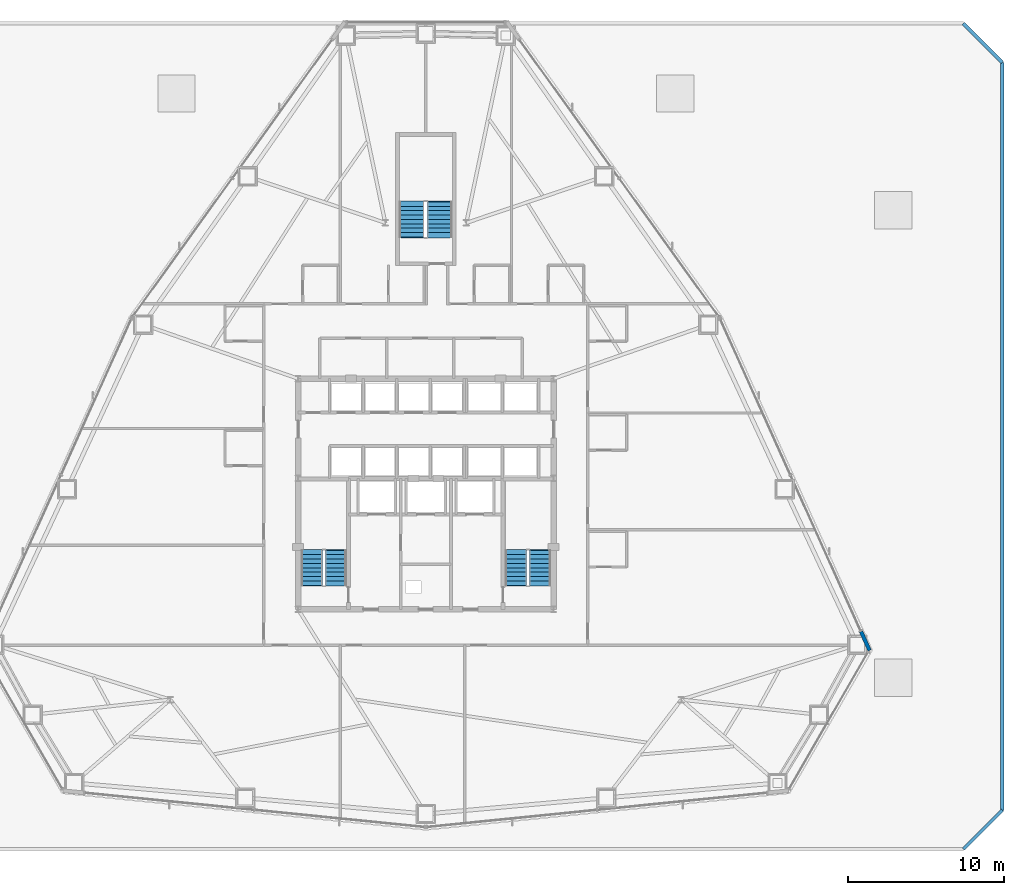
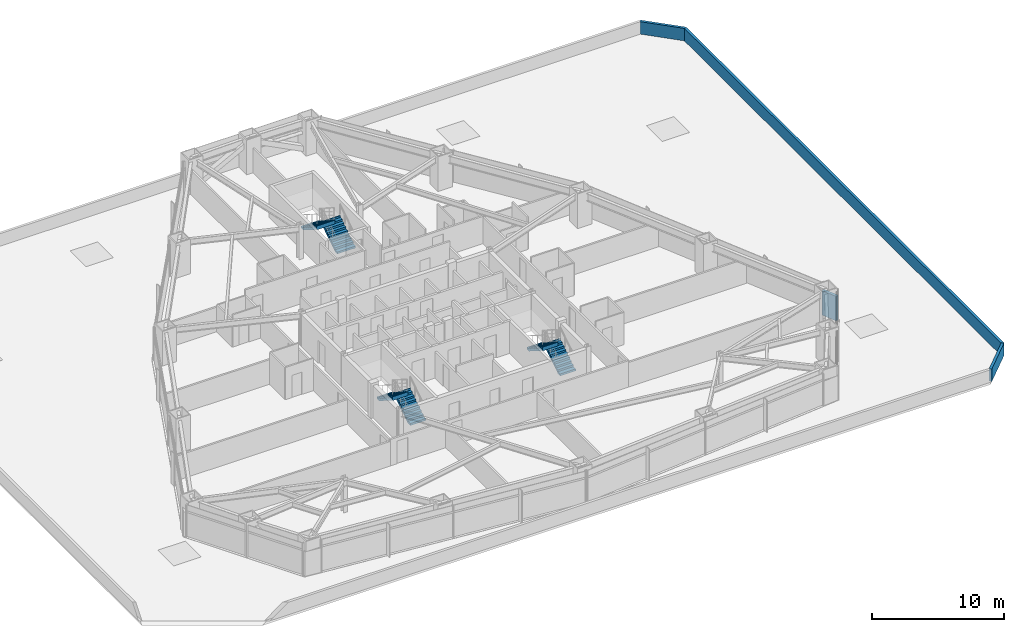
# One storey, part 16 of 17: 6 stair flights, 4 walls, 3 elements without a shape of their own.
"""IFC4 building model written with IfcOpenShell, lengths in metres."""

from ifc_helpers import new_model, si_unit, direction, frame, frame_2d, origin, place, context, subcontext, project, spatial, polyline, rectangle, outline, extrude, material, layer, layer_set, type_object, element, aggregate, save


model = new_model("IFC4")

# Units and contexts
model_context = context("Model", 3, precision=1e-05, world=origin(), true_north=direction((0.0, 1.0)))
body_context = subcontext(model_context, "Body", "Model", "MODEL_VIEW")
ifc_project = project(units=[si_unit("LENGTHUNIT", "METRE"), si_unit("AREAUNIT", "SQUARE_METRE"), si_unit("VOLUMEUNIT", "CUBIC_METRE"), si_unit("PLANEANGLEUNIT", "RADIAN"), si_unit("MASSUNIT", "GRAM", prefix="KILO")], contexts=[model_context])

# Site, building, storey
site_placement = place(None, origin())
site = spatial("IfcSite", under=ifc_project, at=site_placement, CompositionType="ELEMENT")
building_placement = place(site_placement, origin())
building = spatial("IfcBuilding", under=site, at=building_placement, Name="Varakhsha Concourse Tower", CompositionType="ELEMENT")
storey_placement = place(building_placement, frame((0.0, 0.0, 27.199951171875)))
storey = spatial("IfcBuildingStorey", under=building, at=storey_placement, Name="L06", CompositionType="ELEMENT", Elevation=27.199951171875)

# Walls
ifc_material = material(Name="Concrete fc 45 MPa", Category="concrete")
ifc_layer_1 = layer(ifc_material, 0.239990234375, Name="WL-EXT-CRN-240")
ifc_layer_set_1 = layer_set([ifc_layer_1], Name="Concrete fc 45 MPa")
wall_type_1 = type_object("IfcWallType", Name="WL-EXT-CRN-240", PredefinedType="SHEAR", material=ifc_layer_set_1)
wall_1_placement = place(storey_placement, frame((68.482666015625, 13.758056640625, 0.0), z_axis=(0.0, 0.0, 1.0), x_axis=(-0.410767856127, 0.91173996752, 0.0)))
element("IfcWall", 1, at=wall_1_placement, inside=storey, type_object=wall_type_1, Name="L06 Wind-Corner Shoulder Wall F8", PredefinedType="SHEAR", context=body_context, shape_type="SweptSolid", body=[
    extrude(rectangle(XDim=1.334228515625, YDim=0.239990234375, at=frame_2d((0.6669921875, 0.0))), origin(), (0.0, 0.0, 1.0), 2.262939453125),
])
ifc_layer_2 = layer(ifc_material, 0.219970703125, Name="WL-PARAPET-220")
ifc_layer_set_2 = layer_set([ifc_layer_2], Name="Concrete fc 45 MPa")
wall_type_2 = type_object("IfcWallType", Name="WL-PARAPET-220", PredefinedType="PARAPET", material=ifc_layer_set_2)
wall_2_placement = place(storey_placement, frame((74.5, 1.0, 0.0), z_axis=(0.0, 0.0, 1.0), x_axis=(0.707106781187, 0.707106781187, 0.0)))
element("IfcWall", 2, at=wall_2_placement, inside=storey, type_object=wall_type_2, Name="Podium Roof Perimeter Parapet 02", PredefinedType="PARAPET", context=body_context, shape_type="SweptSolid", body=[
    extrude(rectangle(XDim=3.53564453125, YDim=0.219970703125, at=frame_2d((1.767822265625, 0.0))), origin(), (0.0, 0.0, 1.0), 1.150146484375),
])
wall_3_placement = place(storey_placement, frame((77.0, 3.5, 0.0), z_axis=(0.0, 0.0, 1.0), x_axis=(0.0, 1.0, 0.0)))
element("IfcWall", 3, at=wall_3_placement, inside=storey, type_object=wall_type_2, Name="Podium Roof Perimeter Parapet 03", PredefinedType="PARAPET", context=body_context, shape_type="SweptSolid", body=[
    extrude(rectangle(XDim=48.0, YDim=0.219970703125, at=frame_2d((24.0, 0.0))), origin(), (0.0, 0.0, 1.0), 1.150146484375),
])
wall_4_placement = place(storey_placement, frame((77.0, 51.5, 0.0), z_axis=(0.0, 0.0, 1.0), x_axis=(-0.707106781187, 0.707106781187, 0.0)))
element("IfcWall", 4, at=wall_4_placement, inside=storey, type_object=wall_type_2, Name="Podium Roof Perimeter Parapet 04", PredefinedType="PARAPET", context=body_context, shape_type="SweptSolid", body=[
    extrude(rectangle(XDim=3.53564453125, YDim=0.219970703125, at=frame_2d((1.767822265625, 0.0))), origin(), (0.0, 0.0, 1.0), 1.150146484375),
])

# Stair, stair flights
stair_type_1 = type_object("IfcStairType", Name="ST-DOGLEG-1360", PredefinedType="HALF_TURN_STAIR", material=ifc_material)
stair_1_placement = place(storey_placement, origin())
stair_1 = element("IfcStair", 5, at=stair_1_placement, inside=storey, type_object=stair_type_1, Name="L06 Protected Exit Stair ST1", PredefinedType="HALF_TURN_STAIR")
stair_flight_type_1 = type_object("IfcStairFlightType", Name="STF-1360-R1778", PredefinedType="STRAIGHT", material=ifc_material)
stair_flight_1_placement = place(storey_placement, frame((34.239990234375, 17.93994140625, 0.0), z_axis=(0.0, 0.0, 1.0), x_axis=(0.0, 1.0, 0.0)))
stair_flight_1 = element("IfcStairFlight", 6, at=stair_flight_1_placement, type_object=stair_flight_type_1, Name="ST1 flight 1", NumberOfRisers=9, NumberOfTreads=8, PredefinedType="STRAIGHT", RiserHeight=0.177777778, TreadLength=0.28, context=body_context, shape_type="SweptSolid", body=[
    extrude(outline(polyline([(-0.06005859375, 0.0), (-0.06005859375, 0.177734375), (0.0, 0.177734375), (0.280029296875, 0.177734375), (0.280029296875, 0.35546875), (0.56005859375, 0.35546875), (0.56005859375, 0.533447265625), (0.840087890625, 0.533447265625), (0.840087890625, 0.711181640625), (1.1201171875, 0.711181640625), (1.1201171875, 0.888916015625), (1.39990234375, 0.888916015625), (1.39990234375, 1.066650390625), (1.679931640625, 1.066650390625), (1.679931640625, 1.244384765625), (1.9599609375, 1.244384765625), (1.9599609375, 1.422119140625), (2.239990234375, 1.422119140625), (2.239990234375, 1.60009765625), (2.300048828125, 1.60009765625), (2.300048828125, 1.24462890625), (2.239990234375, 1.24462890625), (0.27978515625, 0.0), (-0.06005859375, 0.0)])), frame((0.0, 0.68017578125, 0.0), z_axis=(0.0, -1.0, 0.0), x_axis=(1.0, 0.0, 0.0)), (0.0, 0.0, 1.0), 1.360107421875),
])
stair_flight_2_placement = place(storey_placement, frame((32.679931640625, 20.179931640625, 1.60009765625), z_axis=(0.0, 0.0, 1.0), x_axis=(0.0, -1.0, 0.0)))
stair_flight_2 = element("IfcStairFlight", 7, at=stair_flight_2_placement, type_object=stair_flight_type_1, Name="ST1 flight 2", NumberOfRisers=9, NumberOfTreads=8, PredefinedType="STRAIGHT", RiserHeight=0.177777778, TreadLength=0.28, context=body_context, shape_type="SweptSolid", body=[
    extrude(outline(polyline([(-0.06005859375, 0.0), (-0.06005859375, 0.177734375), (0.0, 0.177734375), (0.280029296875, 0.177734375), (0.280029296875, 0.35546875), (0.56005859375, 0.35546875), (0.56005859375, 0.533447265625), (0.840087890625, 0.533447265625), (0.840087890625, 0.711181640625), (1.1201171875, 0.711181640625), (1.1201171875, 0.888916015625), (1.39990234375, 0.888916015625), (1.39990234375, 1.066650390625), (1.679931640625, 1.066650390625), (1.679931640625, 1.244384765625), (1.9599609375, 1.244384765625), (1.9599609375, 1.422119140625), (2.239990234375, 1.422119140625), (2.239990234375, 1.60009765625), (2.300048828125, 1.60009765625), (2.300048828125, 1.24462890625), (2.239990234375, 1.24462890625), (0.27978515625, 0.0), (-0.06005859375, 0.0)])), frame((0.0, 0.68017578125, 0.0), z_axis=(0.0, -1.0, 0.0), x_axis=(1.0, 0.0, 0.0)), (0.0, 0.0, 1.0), 1.360107421875),
])
aggregate(stair_1, [stair_flight_1, stair_flight_2])

stair_2_placement = place(storey_placement, origin())
stair_2 = element("IfcStair", 8, at=stair_2_placement, inside=storey, type_object=stair_type_1, Name="L06 Protected Exit Stair ST2", PredefinedType="HALF_TURN_STAIR")
stair_flight_3_placement = place(storey_placement, frame((47.340087890625, 17.93994140625, 0.0), z_axis=(0.0, 0.0, 1.0), x_axis=(0.0, 1.0, 0.0)))
stair_flight_3 = element("IfcStairFlight", 9, at=stair_flight_3_placement, type_object=stair_flight_type_1, Name="ST2 flight 1", NumberOfRisers=9, NumberOfTreads=8, PredefinedType="STRAIGHT", RiserHeight=0.177777778, TreadLength=0.28, context=body_context, shape_type="SweptSolid", body=[
    extrude(outline(polyline([(-0.06005859375, 0.0), (-0.06005859375, 0.177734375), (0.0, 0.177734375), (0.280029296875, 0.177734375), (0.280029296875, 0.35546875), (0.56005859375, 0.35546875), (0.56005859375, 0.533447265625), (0.840087890625, 0.533447265625), (0.840087890625, 0.711181640625), (1.1201171875, 0.711181640625), (1.1201171875, 0.888916015625), (1.39990234375, 0.888916015625), (1.39990234375, 1.066650390625), (1.679931640625, 1.066650390625), (1.679931640625, 1.244384765625), (1.9599609375, 1.244384765625), (1.9599609375, 1.422119140625), (2.239990234375, 1.422119140625), (2.239990234375, 1.60009765625), (2.300048828125, 1.60009765625), (2.300048828125, 1.24462890625), (2.239990234375, 1.24462890625), (0.27978515625, 0.0), (-0.06005859375, 0.0)])), frame((0.0, 0.68017578125, 0.0), z_axis=(0.0, -1.0, 0.0), x_axis=(1.0, 0.0, 0.0)), (0.0, 0.0, 1.0), 1.360107421875),
])
stair_flight_4_placement = place(storey_placement, frame((45.780029296875, 20.179931640625, 1.60009765625), z_axis=(0.0, 0.0, 1.0), x_axis=(0.0, -1.0, 0.0)))
stair_flight_4 = element("IfcStairFlight", 10, at=stair_flight_4_placement, type_object=stair_flight_type_1, Name="ST2 flight 2", NumberOfRisers=9, NumberOfTreads=8, PredefinedType="STRAIGHT", RiserHeight=0.177777778, TreadLength=0.28, context=body_context, shape_type="SweptSolid", body=[
    extrude(outline(polyline([(-0.06005859375, 0.0), (-0.06005859375, 0.177734375), (0.0, 0.177734375), (0.280029296875, 0.177734375), (0.280029296875, 0.35546875), (0.56005859375, 0.35546875), (0.56005859375, 0.533447265625), (0.840087890625, 0.533447265625), (0.840087890625, 0.711181640625), (1.1201171875, 0.711181640625), (1.1201171875, 0.888916015625), (1.39990234375, 0.888916015625), (1.39990234375, 1.066650390625), (1.679931640625, 1.066650390625), (1.679931640625, 1.244384765625), (1.9599609375, 1.244384765625), (1.9599609375, 1.422119140625), (2.239990234375, 1.422119140625), (2.239990234375, 1.60009765625), (2.300048828125, 1.60009765625), (2.300048828125, 1.24462890625), (2.239990234375, 1.24462890625), (0.27978515625, 0.0), (-0.06005859375, 0.0)])), frame((0.0, 0.68017578125, 0.0), z_axis=(0.0, -1.0, 0.0), x_axis=(1.0, 0.0, 0.0)), (0.0, 0.0, 1.0), 1.360107421875),
])
aggregate(stair_2, [stair_flight_3, stair_flight_4])

stair_type_2 = type_object("IfcStairType", Name="ST-DOGLEG-1600", PredefinedType="HALF_TURN_STAIR", material=ifc_material)
stair_3_placement = place(storey_placement, origin())
stair_3 = element("IfcStair", 11, at=stair_3_placement, inside=storey, type_object=stair_type_2, Name="L06 Protected Exit Stair ST5", PredefinedType="HALF_TURN_STAIR")
stair_flight_type_2 = type_object("IfcStairFlightType", Name="STF-1600-R1778", PredefinedType="STRAIGHT", material=ifc_material)
stair_flight_5_placement = place(storey_placement, frame((40.89990234375, 40.300048828125, 0.0), z_axis=(0.0, 0.0, 1.0), x_axis=(0.0, 1.0, 0.0)))
stair_flight_5 = element("IfcStairFlight", 12, at=stair_flight_5_placement, type_object=stair_flight_type_2, Name="ST5 flight 1", NumberOfRisers=9, NumberOfTreads=8, PredefinedType="STRAIGHT", RiserHeight=0.177777778, TreadLength=0.28, context=body_context, shape_type="SweptSolid", body=[
    extrude(outline(polyline([(-0.06005859375, 0.0), (-0.06005859375, 0.177734375), (0.0, 0.177734375), (0.280029296875, 0.177734375), (0.280029296875, 0.35546875), (0.56005859375, 0.35546875), (0.56005859375, 0.533447265625), (0.840087890625, 0.533447265625), (0.840087890625, 0.711181640625), (1.1201171875, 0.711181640625), (1.1201171875, 0.888916015625), (1.39990234375, 0.888916015625), (1.39990234375, 1.066650390625), (1.679931640625, 1.066650390625), (1.679931640625, 1.244384765625), (1.9599609375, 1.244384765625), (1.9599609375, 1.422119140625), (2.239990234375, 1.422119140625), (2.239990234375, 1.60009765625), (2.300048828125, 1.60009765625), (2.300048828125, 1.24462890625), (2.239990234375, 1.24462890625), (0.27978515625, 0.0), (-0.06005859375, 0.0)])), frame((0.0, 0.800048828125, 0.0), z_axis=(0.0, -1.0, 0.0), x_axis=(1.0, 0.0, 0.0)), (0.0, 0.0, 1.0), 1.60009765625),
])
stair_flight_6_placement = place(storey_placement, frame((39.10009765625, 42.5400390625, 1.60009765625), z_axis=(0.0, 0.0, 1.0), x_axis=(0.0, -1.0, 0.0)))
stair_flight_6 = element("IfcStairFlight", 13, at=stair_flight_6_placement, type_object=stair_flight_type_2, Name="ST5 flight 2", NumberOfRisers=9, NumberOfTreads=8, PredefinedType="STRAIGHT", RiserHeight=0.177777778, TreadLength=0.28, context=body_context, shape_type="SweptSolid", body=[
    extrude(outline(polyline([(-0.06005859375, 0.0), (-0.06005859375, 0.177734375), (0.0, 0.177734375), (0.280029296875, 0.177734375), (0.280029296875, 0.35546875), (0.56005859375, 0.35546875), (0.56005859375, 0.533447265625), (0.840087890625, 0.533447265625), (0.840087890625, 0.711181640625), (1.1201171875, 0.711181640625), (1.1201171875, 0.888916015625), (1.39990234375, 0.888916015625), (1.39990234375, 1.066650390625), (1.679931640625, 1.066650390625), (1.679931640625, 1.244384765625), (1.9599609375, 1.244384765625), (1.9599609375, 1.422119140625), (2.239990234375, 1.422119140625), (2.239990234375, 1.60009765625), (2.300048828125, 1.60009765625), (2.300048828125, 1.24462890625), (2.239990234375, 1.24462890625), (0.27978515625, 0.0), (-0.06005859375, 0.0)])), frame((0.0, 0.800048828125, 0.0), z_axis=(0.0, -1.0, 0.0), x_axis=(1.0, 0.0, 0.0)), (0.0, 0.0, 1.0), 1.60009765625),
])
aggregate(stair_3, [stair_flight_5, stair_flight_6])

save(model, "model.ifc")
